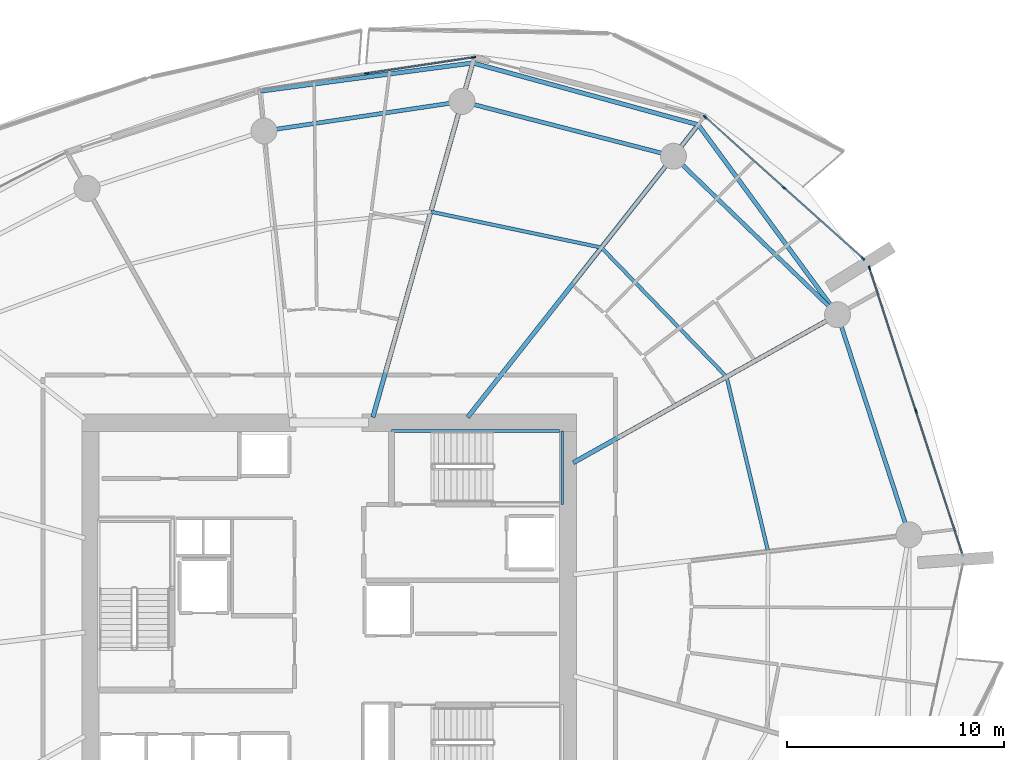
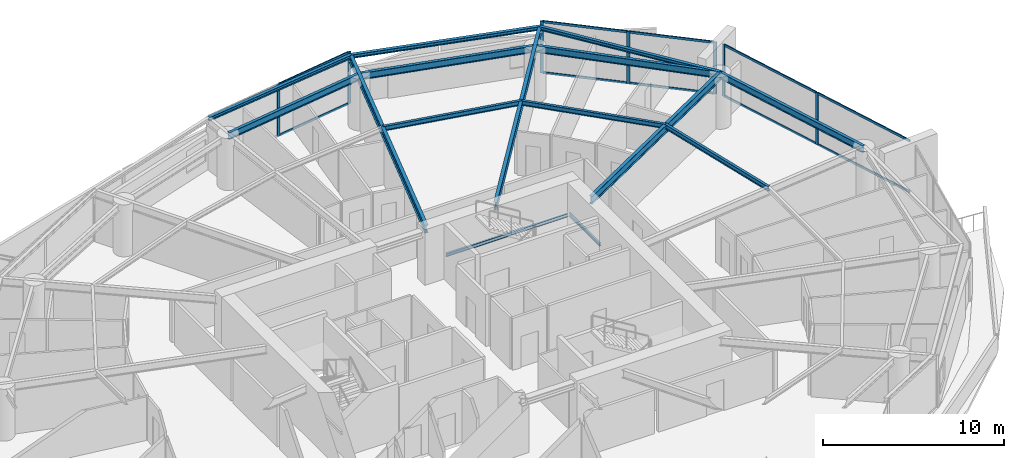
# One storey, part 9 of 23: 17 members, 15 beams, 3 elements without a shape of their own.
"""IFC4 building model written with IfcOpenShell, lengths in metres."""

from ifc_helpers import new_model, si_unit, direction, frame, origin, origin_2d, place, context, subcontext, project, spatial, rectangle, i_section, extrude, material, layer, layer_set, material_profile, profile_set, type_object, element, aggregate, save


model = new_model("IFC4")

# Units and contexts
model_context = context("Model", 3, precision=1e-05, world=origin(), true_north=direction((0.0, 1.0)))
body_context = subcontext(model_context, "Body", "Model", "MODEL_VIEW")
ifc_project = project(units=[si_unit("LENGTHUNIT", "METRE"), si_unit("AREAUNIT", "SQUARE_METRE"), si_unit("VOLUMEUNIT", "CUBIC_METRE"), si_unit("PLANEANGLEUNIT", "RADIAN"), si_unit("MASSUNIT", "GRAM", prefix="KILO")], contexts=[model_context])

# Site, building, storey
site_placement = place(None, origin())
site = spatial("IfcSite", under=ifc_project, at=site_placement, CompositionType="ELEMENT")
building_placement = place(site_placement, origin())
building = spatial("IfcBuilding", under=site, at=building_placement, Name="Kazma Halo Residences", CompositionType="ELEMENT")
storey_placement = place(building_placement, frame((0.0, 0.0, 78.89990234375)))
storey = spatial("IfcBuildingStorey", under=building, at=storey_placement, Name="L19", CompositionType="ELEMENT", Elevation=78.89990234375)

# Beams
ifc_material_1 = material(Name="Steel S355", Category="steel")
ifc_material_profile_1 = material_profile(ifc_material_1, i_section(OverallWidth=0.201904296875, OverallDepth=0.2470703125, WebThickness=0.00732421875, FlangeThickness=0.010986328125, FilletRadius=0.011962890625, at=origin_2d()), Name="W250x49.1")
ifc_profile_set_1 = profile_set([ifc_material_profile_1], Name="Steel S355")
beam_type_1 = type_object("IfcBeamType", Name="BM-BAL-CANT", PredefinedType="BEAM", material=ifc_profile_set_1)
beam_1_placement = place(storey_placement, frame((71.9033203125, 55.386474609375, 3.376708984375), z_axis=(-0.59144927253, 0.806342209005, 0.0), x_axis=(-0.806342209005, -0.59144927253, 0.0)))
element("IfcBeam", 1, at=beam_1_placement, inside=storey, type_object=beam_type_1, Name="L19 wave-balcony lead tie beam 01", PredefinedType="BEAM", context=body_context, shape_type="SweptSolid", body=[
    extrude(i_section(OverallWidth=0.201904296875, OverallDepth=0.2470703125, WebThickness=0.00732421875, FlangeThickness=0.010986328125, FilletRadius=0.011962890625, at=origin_2d()), origin(), (0.0, 0.0, 1.0), 10.87939453125),
])
beam_2_placement = place(storey_placement, frame((65.46875, 64.158935546875, 3.376708984375), z_axis=(-0.964396617, 0.264460139, 0.0), x_axis=(-0.264460139, -0.964396617, 0.0)))
element("IfcBeam", 2, at=beam_2_placement, inside=storey, type_object=beam_type_1, Name="L19 wave-balcony tie beam 02", PredefinedType="BEAM", context=body_context, shape_type="SweptSolid", body=[
    extrude(i_section(OverallWidth=0.201904296875, OverallDepth=0.2470703125, WebThickness=0.00732421875, FlangeThickness=0.010986328125, FilletRadius=0.011962890625, at=origin_2d()), origin(), (0.0, 0.0, 1.0), 10.79833984375),
])
beam_3_placement = place(storey_placement, frame((55.054931640625, 67.0146484375, 3.376708984375), z_axis=(-0.991294955884, -0.131659828494, 0.0), x_axis=(0.131659828494, -0.991294955884, 0.0)))
element("IfcBeam", 3, at=beam_3_placement, inside=storey, type_object=beam_type_1, Name="L19 wave-balcony tie beam 03", PredefinedType="BEAM", context=body_context, shape_type="SweptSolid", body=[
    extrude(i_section(OverallWidth=0.201904296875, OverallDepth=0.2470703125, WebThickness=0.00732421875, FlangeThickness=0.010986328125, FilletRadius=0.011962890625, at=origin_2d()), origin(), (0.0, 0.0, 1.0), 9.902099609375),
])
ifc_material_profile_2 = material_profile(ifc_material_1, i_section(OverallWidth=0.208984375, OverallDepth=0.532958984375, WebThickness=0.01025390625, FlangeThickness=0.015625, FilletRadius=0.01611328125, at=origin_2d()), Name="W530x92")
ifc_profile_set_2 = profile_set([ifc_material_profile_2], Name="Steel S355")
beam_type_2 = type_object("IfcBeamType", Name="BM-RAD-W530", PredefinedType="BEAM", material=ifc_profile_set_2)
beam_4_placement = place(storey_placement, frame((59.699951171875, 48.55224609375, 3.233642578125), z_axis=(0.87249559794, 0.488621972055, 0.0), x_axis=(-0.488621972055, 0.87249559794, 0.0)))
element("IfcBeam", 4, at=beam_4_placement, inside=storey, type_object=beam_type_2, Name="L19 radial floor beam 01", PredefinedType="BEAM", context=body_context, shape_type="SweptSolid", body=[
    extrude(i_section(OverallWidth=0.208984375, OverallDepth=0.532958984375, WebThickness=0.01025390625, FlangeThickness=0.015625, FilletRadius=0.01611328125, at=origin_2d()), origin(), (0.0, 0.0, 1.0), 13.98681640625),
])
beam_5_placement = place(storey_placement, frame((54.819091796875, 50.64990234375, 3.233642578125), z_axis=(0.619093774822, 0.785317068436, 0.0), x_axis=(-0.785317068436, 0.619093774822, 0.0)))
element("IfcBeam", 5, at=beam_5_placement, inside=storey, type_object=beam_type_2, Name="L19 radial floor beam 02", PredefinedType="BEAM", context=body_context, shape_type="SweptSolid", body=[
    extrude(i_section(OverallWidth=0.208984375, OverallDepth=0.532958984375, WebThickness=0.01025390625, FlangeThickness=0.015625, FilletRadius=0.01611328125, at=origin_2d()), origin(), (0.0, 0.0, 1.0), 17.201904296875),
])
beam_6_placement = place(storey_placement, frame((50.439697265625, 50.64990234375, 3.233642578125), z_axis=(0.271434928076, 0.962456793742, 0.0), x_axis=(-0.962456793742, 0.271434928076, 0.0)))
element("IfcBeam", 6, at=beam_6_placement, inside=storey, type_object=beam_type_2, Name="L19 radial floor beam 03", PredefinedType="BEAM", context=body_context, shape_type="SweptSolid", body=[
    extrude(i_section(OverallWidth=0.208984375, OverallDepth=0.532958984375, WebThickness=0.01025390625, FlangeThickness=0.015625, FilletRadius=0.01611328125, at=origin_2d()), origin(), (0.0, 0.0, 1.0), 17.003173828125),
])
ifc_material_profile_3 = material_profile(ifc_material_1, i_section(OverallWidth=0.1650390625, OverallDepth=0.31005859375, WebThickness=0.005859375, FlangeThickness=0.009765625, FilletRadius=0.011962890625, at=origin_2d()), Name="W310x38.7")
ifc_profile_set_3 = profile_set([ifc_material_profile_3], Name="Steel S355")
beam_type_3 = type_object("IfcBeamType", Name="BM-SEC-W310B", PredefinedType="JOIST", material=ifc_profile_set_3)
beam_7_placement = place(storey_placement, frame((66.77783203125, 52.51611328125, 3.34521484375), z_axis=(-0.695765378161, 0.718269126827, 0.0), x_axis=(-0.718269126827, -0.695765378161, 0.0)))
element("IfcBeam", 7, at=beam_7_placement, inside=storey, type_object=beam_type_3, Name="L19 circumferential floor joist 01", PredefinedType="JOIST", context=body_context, shape_type="SweptSolid", body=[
    extrude(i_section(OverallWidth=0.1650390625, OverallDepth=0.31005859375, WebThickness=0.005859375, FlangeThickness=0.009765625, FilletRadius=0.011962890625, at=origin_2d()), origin(), (0.0, 0.0, 1.0), 8.310302734375),
])
beam_8_placement = place(storey_placement, frame((60.995849609375, 58.485107421875, 3.34521484375), z_axis=(-0.978607976751, 0.205733876255, 0.0), x_axis=(-0.205733876255, -0.978607976751, 0.0)))
element("IfcBeam", 8, at=beam_8_placement, inside=storey, type_object=beam_type_3, Name="L19 circumferential floor joist 02", PredefinedType="JOIST", context=body_context, shape_type="SweptSolid", body=[
    extrude(i_section(OverallWidth=0.1650390625, OverallDepth=0.31005859375, WebThickness=0.005859375, FlangeThickness=0.009765625, FilletRadius=0.011962890625, at=origin_2d()), origin(), (0.0, 0.0, 1.0), 8.051513671875),
])
beam_9_placement = place(storey_placement, frame((68.69384765625, 44.44921875, 3.34521484375), z_axis=(-0.231087064161, 0.972933075179, 0.0), x_axis=(-0.972933075179, -0.231087064161, 0.0)))
element("IfcBeam", 9, at=beam_9_placement, inside=storey, type_object=beam_type_3, Name="L19 circumferential floor joist 16", PredefinedType="JOIST", context=body_context, shape_type="SweptSolid", body=[
    extrude(i_section(OverallWidth=0.1650390625, OverallDepth=0.31005859375, WebThickness=0.005859375, FlangeThickness=0.009765625, FilletRadius=0.011962890625, at=origin_2d()), origin(), (0.0, 0.0, 1.0), 8.291259765625),
])
ifc_material_profile_4 = material_profile(ifc_material_1, i_section(OverallWidth=0.18994140625, OverallDepth=0.45703125, WebThickness=0.009033203125, FlangeThickness=0.014404296875, FilletRadius=0.01611328125, at=origin_2d()), Name="W460x74")
ifc_profile_set_4 = profile_set([ifc_material_profile_4], Name="Steel S355")
beam_type_4 = type_object("IfcBeamType", Name="BM-SPN-W460", PredefinedType="BEAM", material=ifc_profile_set_4)
beam_10_placement = place(storey_placement, frame((71.9033203125, 55.386474609375, 3.271484375), z_axis=(-0.719336783114, 0.694661494873, 0.0), x_axis=(-0.694661494873, -0.719336783114, 0.0)))
element("IfcBeam", 10, at=beam_10_placement, inside=storey, type_object=beam_type_4, Name="L19 perimeter ring beam 01", PredefinedType="BEAM", context=body_context, shape_type="SweptSolid", body=[
    extrude(i_section(OverallWidth=0.18994140625, OverallDepth=0.45703125, WebThickness=0.009033203125, FlangeThickness=0.014404296875, FilletRadius=0.01611328125, at=origin_2d()), origin(), (0.0, 0.0, 1.0), 10.537353515625),
])
beam_11_placement = place(storey_placement, frame((64.323486328125, 62.706298828125, 3.271484375), z_axis=(-0.968124968683, 0.250467652626, 0.0), x_axis=(-0.250467652626, -0.968124968683, 0.0)))
element("IfcBeam", 11, at=beam_11_placement, inside=storey, type_object=beam_type_4, Name="L19 perimeter ring beam 02", PredefinedType="BEAM", context=body_context, shape_type="SweptSolid", body=[
    extrude(i_section(OverallWidth=0.18994140625, OverallDepth=0.45703125, WebThickness=0.009033203125, FlangeThickness=0.014404296875, FilletRadius=0.01611328125, at=origin_2d()), origin(), (0.0, 0.0, 1.0), 10.092529296875),
])
beam_12_placement = place(storey_placement, frame((54.552734375, 65.234130859375, 3.271484375), z_axis=(-0.989034176303, -0.147686824414, 0.0), x_axis=(0.147686824414, -0.989034176303, 0.0)))
element("IfcBeam", 12, at=beam_12_placement, inside=storey, type_object=beam_type_4, Name="L19 perimeter ring beam 03", PredefinedType="BEAM", context=body_context, shape_type="SweptSolid", body=[
    extrude(i_section(OverallWidth=0.18994140625, OverallDepth=0.45703125, WebThickness=0.009033203125, FlangeThickness=0.014404296875, FilletRadius=0.01611328125, at=origin_2d()), origin(), (0.0, 0.0, 1.0), 9.242431640625),
])
beam_13_placement = place(storey_placement, frame((75.20654296875, 45.22021484375, 3.271484375), z_axis=(-0.309017385422, 0.951056389236, 0.0), x_axis=(-0.951056389236, -0.309017385422, 0.0)))
element("IfcBeam", 13, at=beam_13_placement, inside=storey, type_object=beam_type_4, Name="L19 perimeter ring beam 16", PredefinedType="BEAM", context=body_context, shape_type="SweptSolid", body=[
    extrude(i_section(OverallWidth=0.18994140625, OverallDepth=0.45703125, WebThickness=0.009033203125, FlangeThickness=0.014404296875, FilletRadius=0.01611328125, at=origin_2d()), origin(), (0.0, 0.0, 1.0), 10.689453125),
])
ifc_material_profile_5 = material_profile(ifc_material_1, i_section(OverallWidth=0.133056640625, OverallDepth=0.20703125, WebThickness=0.005859375, FlangeThickness=0.00830078125, FilletRadius=0.010009765625, at=origin_2d()), Name="W200x26.6")
ifc_profile_set_5 = profile_set([ifc_material_profile_5], Name="Steel S355")
beam_type_5 = type_object("IfcBeamType", Name="BM-TRIM-W200", PredefinedType="BEAM", material=ifc_profile_set_5)
beam_14_placement = place(storey_placement, frame((51.31005859375, 50.02001953125, 1.570068359375), z_axis=(1.0, 0.0, 0.0), x_axis=(0.0, 1.0, 0.0)))
element("IfcBeam", 14, at=beam_14_placement, inside=storey, type_object=beam_type_5, Name="L19 ST-02 landing north wall ledger", PredefinedType="BEAM", context=body_context, shape_type="SweptSolid", body=[
    extrude(i_section(OverallWidth=0.133056640625, OverallDepth=0.20703125, WebThickness=0.005859375, FlangeThickness=0.00830078125, FilletRadius=0.010009765625, at=origin_2d()), origin(), (0.0, 0.0, 1.0), 7.760009765625),
])
beam_15_placement = place(storey_placement, frame((59.18994140625, 46.6201171875, 1.570068359375), z_axis=(0.0, 1.0, 0.0), x_axis=(-1.0, 0.0, 0.0)))
element("IfcBeam", 15, at=beam_15_placement, inside=storey, type_object=beam_type_5, Name="L19 ST-02 landing end wall ledger", PredefinedType="BEAM", context=body_context, shape_type="SweptSolid", body=[
    extrude(i_section(OverallWidth=0.133056640625, OverallDepth=0.20703125, WebThickness=0.005859375, FlangeThickness=0.00830078125, FilletRadius=0.010009765625, at=origin_2d()), origin(), (0.0, 0.0, 1.0), 3.39990234375),
])

# Curtain wall, members
ifc_material_2 = material(Name="Aluminium AW-6063 T6 and Triple-Silver Low-E Glass", Category="aluminium")
ifc_layer = layer(ifc_material_2, 0.199951171875)
ifc_layer_set = layer_set([ifc_layer], Name="Aluminium AW-6063 T6 and Triple-Silver Low-E Glass")
curtain_wall_type = type_object("IfcCurtainWallType", Name="CW-SYS-3", PredefinedType="NOTDEFINED", material=ifc_layer_set)
curtain_wall_1_placement = place(storey_placement, origin())
curtain_wall_1 = element("IfcCurtainWall", 16, at=curtain_wall_1_placement, inside=storey, type_object=curtain_wall_type, Name="L19 unitised curtain wall B01", PredefinedType="NOTDEFINED")
ifc_material_3 = material(Name="Aluminium AW-6063 T6", Category="aluminium")
ifc_material_profile_6 = material_profile(ifc_material_3, rectangle(XDim=0.070068359375, YDim=0.199951171875, at=origin_2d()), Name="CWM-70x200")
ifc_profile_set_6 = profile_set([ifc_material_profile_6], Name="Aluminium AW-6063 T6")
member_type_1 = type_object("IfcMemberType", Name="CW-SYS-3-MUL", PredefinedType="MULLION", material=ifc_profile_set_6)
member_1_placement = place(storey_placement, frame((73.071044921875, 57.981201171875, 0.0), z_axis=(0.0, 0.0, 1.0), x_axis=(-0.667794957375, -0.744345279359, 0.0)))
member_1 = element("IfcMember", 17, at=member_1_placement, type_object=member_type_1, Name="CWS-3 mullion 1", PredefinedType="MULLION", context=body_context, shape_type="SweptSolid", body=[
    extrude(rectangle(XDim=0.070068359375, YDim=0.199951171875, at=origin_2d()), origin(), (0.0, 0.0, 1.0), 3.5),
])
member_2_placement = place(storey_placement, frame((69.431396484375, 61.24658203125, 0.0), z_axis=(0.0, 0.0, 1.0), x_axis=(-0.667794957375, -0.744345279359, 0.0)))
member_2 = element("IfcMember", 18, at=member_2_placement, type_object=member_type_1, Name="CWS-3 mullion 2", PredefinedType="MULLION", context=body_context, shape_type="SweptSolid", body=[
    extrude(rectangle(XDim=0.070068359375, YDim=0.199951171875, at=origin_2d()), origin(), (0.0, 0.0, 1.0), 3.5),
])
member_3_placement = place(storey_placement, frame((65.791748046875, 64.51220703125, 0.0), z_axis=(0.0, 0.0, 1.0), x_axis=(-0.667794957375, -0.744345279359, 0.0)))
member_3 = element("IfcMember", 19, at=member_3_placement, type_object=member_type_1, Name="CWS-3 mullion 3", PredefinedType="MULLION", context=body_context, shape_type="SweptSolid", body=[
    extrude(rectangle(XDim=0.070068359375, YDim=0.199951171875, at=origin_2d()), origin(), (0.0, 0.0, 1.0), 3.5),
])

curtain_wall_2_placement = place(storey_placement, origin())
curtain_wall_2 = element("IfcCurtainWall", 20, at=curtain_wall_2_placement, inside=storey, type_object=curtain_wall_type, Name="L19 unitised curtain wall B03", PredefinedType="NOTDEFINED")
member_4_placement = place(storey_placement, frame((55.09423828125, 67.271728515625, 0.0), z_axis=(0.0, 0.0, 1.0), x_axis=(0.148717330409, -0.988879747814, 0.0)))
member_4 = element("IfcMember", 21, at=member_4_placement, type_object=member_type_1, Name="CWS-3 mullion 1", PredefinedType="MULLION", context=body_context, shape_type="SweptSolid", body=[
    extrude(rectangle(XDim=0.070068359375, YDim=0.199951171875, at=origin_2d()), origin(), (0.0, 0.0, 1.0), 3.5),
])
member_5_placement = place(storey_placement, frame((50.156982421875, 66.529296875, 0.0), z_axis=(0.0, 0.0, 1.0), x_axis=(0.148717330409, -0.988879747814, 0.0)))
member_5 = element("IfcMember", 22, at=member_5_placement, type_object=member_type_1, Name="CWS-3 mullion 2", PredefinedType="MULLION", context=body_context, shape_type="SweptSolid", body=[
    extrude(rectangle(XDim=0.070068359375, YDim=0.199951171875, at=origin_2d()), origin(), (0.0, 0.0, 1.0), 3.5),
])

curtain_wall_3_placement = place(storey_placement, origin())
curtain_wall_3 = element("IfcCurtainWall", 23, at=curtain_wall_3_placement, inside=storey, type_object=curtain_wall_type, Name="L19 unitised curtain wall B16", PredefinedType="NOTDEFINED")
member_6_placement = place(storey_placement, frame((75.52099609375, 50.942138671875, 0.0), z_axis=(0.0, 0.0, 1.0), x_axis=(-0.951057722508, -0.309013282008, 0.0)))
member_6 = element("IfcMember", 24, at=member_6_placement, type_object=member_type_1, Name="CWS-3 mullion 2", PredefinedType="MULLION", context=body_context, shape_type="SweptSolid", body=[
    extrude(rectangle(XDim=0.070068359375, YDim=0.199951171875, at=origin_2d()), origin(), (0.0, 0.0, 1.0), 3.5),
])
member_7_placement = place(storey_placement, frame((73.376708984375, 57.54150390625, 0.0), z_axis=(0.0, 0.0, 1.0), x_axis=(-0.951057722508, -0.309013282008, 0.0)))
member_7 = element("IfcMember", 25, at=member_7_placement, type_object=member_type_1, Name="CWS-3 mullion 3", PredefinedType="MULLION", context=body_context, shape_type="SweptSolid", body=[
    extrude(rectangle(XDim=0.070068359375, YDim=0.199951171875, at=origin_2d()), origin(), (0.0, 0.0, 1.0), 3.5),
])

# Member
ifc_material_profile_7 = material_profile(ifc_material_3, rectangle(XDim=0.070068359375, YDim=0.14990234375, at=origin_2d()), Name="CWT-70x150")
ifc_profile_set_7 = profile_set([ifc_material_profile_7], Name="Aluminium AW-6063 T6")
member_type_2 = type_object("IfcMemberType", Name="CW-SYS-3-TRN", PredefinedType="USERDEFINED", material=ifc_profile_set_7)
member_8_placement = place(storey_placement, frame((73.045166015625, 58.004638671875, 0.03515625), z_axis=(-0.744338471453, 0.667802545603, 0.0), x_axis=(-0.667802545603, -0.744338471453, 0.0)))
member_8 = element("IfcMember", 26, at=member_8_placement, type_object=member_type_2, Name="CWS-3 transom 1.1", ObjectType="TRANSOM", PredefinedType="USERDEFINED", context=body_context, shape_type="SweptSolid", body=[
    extrude(rectangle(XDim=0.070068359375, YDim=0.14990234375, at=origin_2d()), origin(), (0.0, 0.0, 1.0), 4.81982421875),
])

member_9_placement = place(storey_placement, frame((73.045166015625, 58.004638671875, 3.465087890625), z_axis=(-0.744338471453, 0.667802545603, 0.0), x_axis=(-0.667802545603, -0.744338471453, 0.0)))
member_9 = element("IfcMember", 27, at=member_9_placement, type_object=member_type_2, Name="CWS-3 transom 1.2", ObjectType="TRANSOM", PredefinedType="USERDEFINED", context=body_context, shape_type="SweptSolid", body=[
    extrude(rectangle(XDim=0.070068359375, YDim=0.14990234375, at=origin_2d()), origin(), (0.0, 0.0, 1.0), 4.81982421875),
])

member_10_placement = place(storey_placement, frame((69.4052734375, 61.27001953125, 0.03515625), z_axis=(-0.744338471453, 0.667802545603, 0.0), x_axis=(-0.667802545603, -0.744338471453, 0.0)))
member_10 = element("IfcMember", 28, at=member_10_placement, type_object=member_type_2, Name="CWS-3 transom 2.1", ObjectType="TRANSOM", PredefinedType="USERDEFINED", context=body_context, shape_type="SweptSolid", body=[
    extrude(rectangle(XDim=0.070068359375, YDim=0.14990234375, at=origin_2d()), origin(), (0.0, 0.0, 1.0), 4.81982421875),
])

member_11_placement = place(storey_placement, frame((69.4052734375, 61.27001953125, 3.465087890625), z_axis=(-0.744338471453, 0.667802545603, 0.0), x_axis=(-0.667802545603, -0.744338471453, 0.0)))
member_11 = element("IfcMember", 29, at=member_11_placement, type_object=member_type_2, Name="CWS-3 transom 2.2", ObjectType="TRANSOM", PredefinedType="USERDEFINED", context=body_context, shape_type="SweptSolid", body=[
    extrude(rectangle(XDim=0.070068359375, YDim=0.14990234375, at=origin_2d()), origin(), (0.0, 0.0, 1.0), 4.81982421875),
])

aggregate(curtain_wall_1, [member_1, member_2, member_3, member_8, member_9, member_10, member_11])

member_12_placement = place(storey_placement, frame((55.0595703125, 67.2666015625, 0.03515625), z_axis=(-0.988876977991, -0.148735746878, 0.0), x_axis=(0.148735746878, -0.988876977991, 0.0)))
member_12 = element("IfcMember", 30, at=member_12_placement, type_object=member_type_2, Name="CWS-3 transom 1.1", ObjectType="TRANSOM", PredefinedType="USERDEFINED", context=body_context, shape_type="SweptSolid", body=[
    extrude(rectangle(XDim=0.070068359375, YDim=0.14990234375, at=origin_2d()), origin(), (0.0, 0.0, 1.0), 4.922607421875),
])

member_13_placement = place(storey_placement, frame((55.0595703125, 67.2666015625, 3.465087890625), z_axis=(-0.988876977991, -0.148735746878, 0.0), x_axis=(0.148735746878, -0.988876977991, 0.0)))
member_13 = element("IfcMember", 31, at=member_13_placement, type_object=member_type_2, Name="CWS-3 transom 1.2", ObjectType="TRANSOM", PredefinedType="USERDEFINED", context=body_context, shape_type="SweptSolid", body=[
    extrude(rectangle(XDim=0.070068359375, YDim=0.14990234375, at=origin_2d()), origin(), (0.0, 0.0, 1.0), 4.922607421875),
])

aggregate(curtain_wall_2, [member_4, member_5, member_12, member_13])

member_14_placement = place(storey_placement, frame((77.654541015625, 44.3759765625, 0.03515625), z_axis=(-0.309000079699, 0.95106201204, 0.0), x_axis=(-0.95106201204, -0.309000079699, 0.0)))
member_14 = element("IfcMember", 32, at=member_14_placement, type_object=member_type_2, Name="CWS-3 transom 1.1", ObjectType="TRANSOM", PredefinedType="USERDEFINED", context=body_context, shape_type="SweptSolid", body=[
    extrude(rectangle(XDim=0.070068359375, YDim=0.14990234375, at=origin_2d()), origin(), (0.0, 0.0, 1.0), 6.869140625),
])

member_15_placement = place(storey_placement, frame((77.654541015625, 44.3759765625, 3.465087890625), z_axis=(-0.309000079699, 0.95106201204, 0.0), x_axis=(-0.95106201204, -0.309000079699, 0.0)))
member_15 = element("IfcMember", 33, at=member_15_placement, type_object=member_type_2, Name="CWS-3 transom 1.2", ObjectType="TRANSOM", PredefinedType="USERDEFINED", context=body_context, shape_type="SweptSolid", body=[
    extrude(rectangle(XDim=0.070068359375, YDim=0.14990234375, at=origin_2d()), origin(), (0.0, 0.0, 1.0), 6.869140625),
])

member_16_placement = place(storey_placement, frame((75.51025390625, 50.975341796875, 0.03515625), z_axis=(-0.309000079699, 0.95106201204, 0.0), x_axis=(-0.95106201204, -0.309000079699, 0.0)))
member_16 = element("IfcMember", 34, at=member_16_placement, type_object=member_type_2, Name="CWS-3 transom 2.1", ObjectType="TRANSOM", PredefinedType="USERDEFINED", context=body_context, shape_type="SweptSolid", body=[
    extrude(rectangle(XDim=0.070068359375, YDim=0.14990234375, at=origin_2d()), origin(), (0.0, 0.0, 1.0), 6.869140625),
])

member_17_placement = place(storey_placement, frame((75.51025390625, 50.975341796875, 3.465087890625), z_axis=(-0.309000079699, 0.95106201204, 0.0), x_axis=(-0.95106201204, -0.309000079699, 0.0)))
member_17 = element("IfcMember", 35, at=member_17_placement, type_object=member_type_2, Name="CWS-3 transom 2.2", ObjectType="TRANSOM", PredefinedType="USERDEFINED", context=body_context, shape_type="SweptSolid", body=[
    extrude(rectangle(XDim=0.070068359375, YDim=0.14990234375, at=origin_2d()), origin(), (0.0, 0.0, 1.0), 6.869140625),
])

aggregate(curtain_wall_3, [member_6, member_7, member_14, member_15, member_16, member_17])

save(model, "model.ifc")
